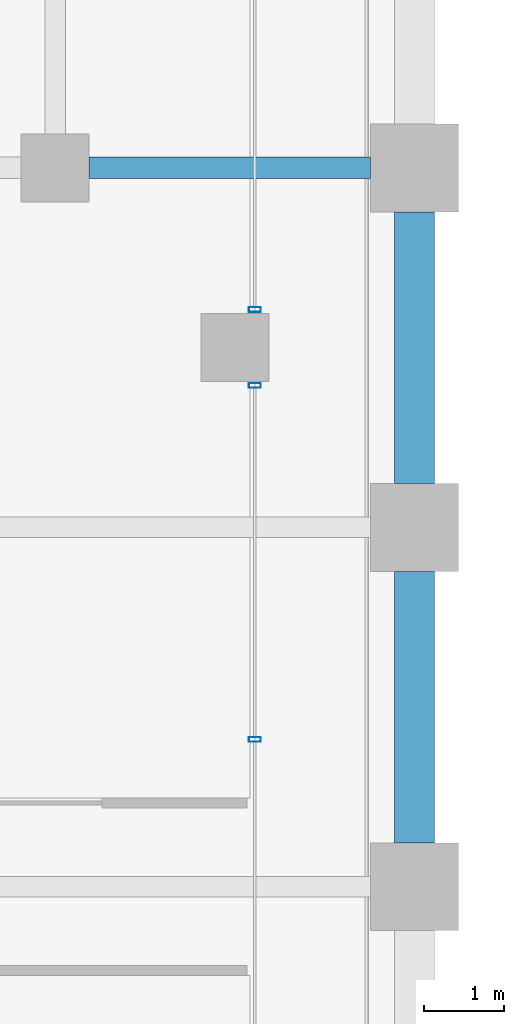
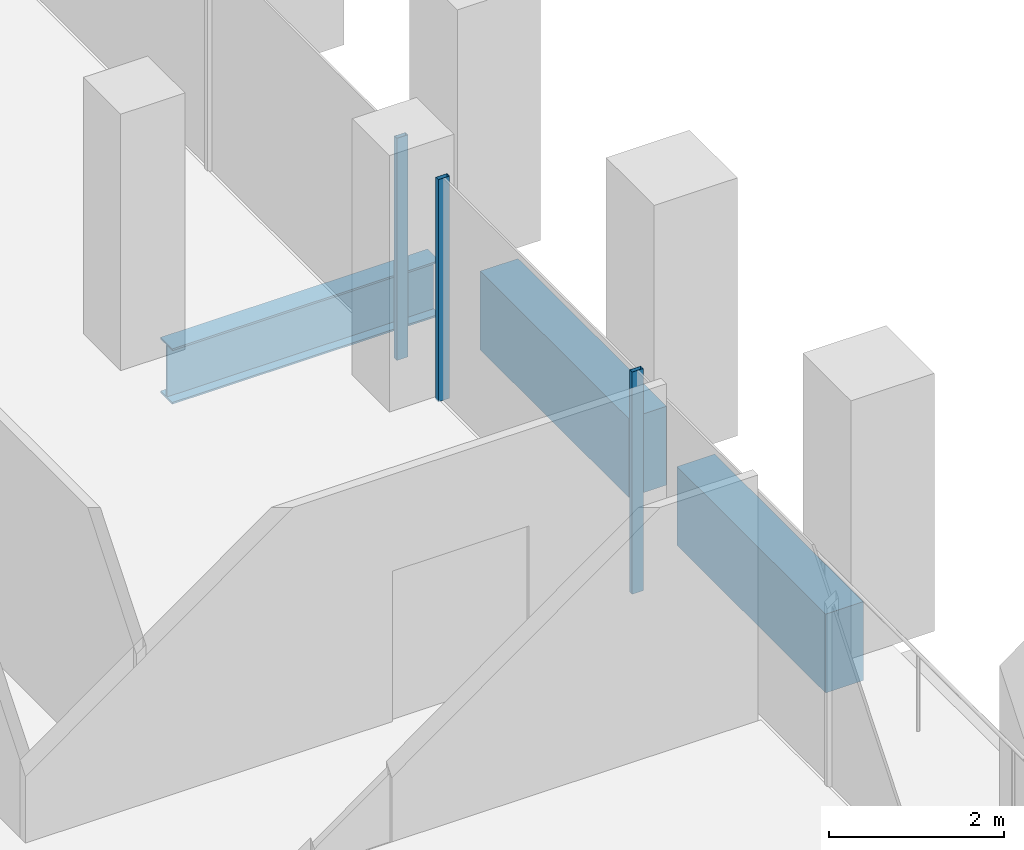
# One storey, part 22 of 54: 3 beams, 3 members, 2 elements without a shape of their own.
"""IFC4 building model written with IfcOpenShell, lengths in metres."""

from ifc_helpers import new_model, si_unit, direction, frame, origin, origin_2d, place, context, subcontext, project, spatial, rectangle, hollow_rectangle, i_section, extrude, material, material_profile, profile_set, type_object, element, aggregate, save


model = new_model("IFC4")

# Units and contexts
model_context = context("Model", 3, precision=1e-05, world=origin(), true_north=direction((0.0, 1.0)))
body_context = subcontext(model_context, "Body", "Model", "MODEL_VIEW")
ifc_project = project(units=[si_unit("LENGTHUNIT", "METRE"), si_unit("AREAUNIT", "SQUARE_METRE"), si_unit("VOLUMEUNIT", "CUBIC_METRE"), si_unit("PLANEANGLEUNIT", "RADIAN"), si_unit("MASSUNIT", "GRAM", prefix="KILO")], contexts=[model_context])

# Site, building, storey
site_placement = place(None, origin())
site = spatial("IfcSite", under=ifc_project, at=site_placement, CompositionType="ELEMENT")
building_placement = place(site_placement, origin())
building = spatial("IfcBuilding", under=site, at=building_placement, Name="Altepetl Exchange Towers", CompositionType="ELEMENT")
storey_placement = place(building_placement, frame((0.0, 0.0, 65.39990234375)))
storey = spatial("IfcBuildingStorey", under=building, at=storey_placement, Name="L15", CompositionType="ELEMENT", Elevation=65.39990234375)

# Beam
ifc_material_1 = material(Name="Steel S355", Category="steel")
ifc_material_profile_1 = material_profile(ifc_material_1, i_section(OverallWidth=0.26806640625, OverallDepth=0.77392578125, WebThickness=0.015380859375, FlangeThickness=0.025390625, at=origin_2d()), Name="W30X132")
ifc_profile_set_1 = profile_set([ifc_material_profile_1], Name="Steel S355")
beam_type_1 = type_object("IfcBeamType", Name="Girder W30X132", PredefinedType="BEAM", material=ifc_profile_set_1)
beam_placement = place(storey_placement, frame((67.925048828125, 58.5, -0.536865234375), z_axis=(1.0, 0.0, 0.0), x_axis=(0.0, 1.0, 0.0)))
element("IfcBeam", 1, at=beam_placement, inside=storey, type_object=beam_type_1, Name="gd:A:L15:002", PredefinedType="BEAM", context=body_context, shape_type="SweptSolid", body=[
    extrude(i_section(OverallWidth=0.26806640625, OverallDepth=0.77392578125, WebThickness=0.015380859375, FlangeThickness=0.025390625, at=origin_2d()), origin(), (0.0, 0.0, 1.0), 3.52490234375),
])

# Curtain wall, members
ifc_material_2 = material(Name="Aluminium 6063-T6 glazing", Category="aluminium")
curtain_wall_type = type_object("IfcCurtainWallType", Name="Loggia glazing system", PredefinedType="NOTDEFINED", material=ifc_material_2)
curtain_wall_1_placement = place(storey_placement, origin())
curtain_wall_1 = element("IfcCurtainWall", 2, at=curtain_wall_1_placement, inside=storey, type_object=curtain_wall_type, Name="CW1 run", PredefinedType="NOTDEFINED")
ifc_material_3 = material(Name="Aluminium 6063-T6", Category="aluminium")
ifc_material_profile_2 = material_profile(ifc_material_3, hollow_rectangle(XDim=0.06005859375, YDim=0.14990234375, WallThickness=0.0029296875, at=origin_2d()), Name="Mullion 60x150 aluminium")
ifc_profile_set_2 = profile_set([ifc_material_profile_2], Name="Aluminium 6063-T6")
member_type = type_object("IfcMemberType", Name="Mullion 60x150 aluminium", PredefinedType="MULLION", material=ifc_profile_set_2)
member_1_placement = place(storey_placement, frame((70.0, 51.343994140625, 0.0), z_axis=(0.0, 0.0, 1.0), x_axis=(0.0, 1.0, 0.0)))
member_1 = element("IfcMember", 3, at=member_1_placement, type_object=member_type, Name="MU1 mullion", PredefinedType="MULLION", context=body_context, shape_type="SweptSolid", body=[
    extrude(hollow_rectangle(XDim=0.06005859375, YDim=0.14990234375, WallThickness=0.0029296875, at=origin_2d()), origin(), (0.0, 0.0, 1.0), 3.10009765625),
])
member_2_placement = place(storey_placement, frame((70.0, 55.77490234375, 0.0), z_axis=(0.0, 0.0, 1.0), x_axis=(0.0, 1.0, 0.0)))
member_2 = element("IfcMember", 4, at=member_2_placement, type_object=member_type, Name="MU1 mullion", PredefinedType="MULLION", context=body_context, shape_type="SweptSolid", body=[
    extrude(hollow_rectangle(XDim=0.06005859375, YDim=0.14990234375, WallThickness=0.0029296875, at=origin_2d()), origin(), (0.0, 0.0, 1.0), 3.10009765625),
])
aggregate(curtain_wall_1, [member_1, member_2])

# Curtain wall, member
curtain_wall_2_placement = place(storey_placement, origin())
curtain_wall_2 = element("IfcCurtainWall", 5, at=curtain_wall_2_placement, inside=storey, type_object=curtain_wall_type, Name="CW1 run", PredefinedType="NOTDEFINED")
member_3_placement = place(storey_placement, frame((70.0, 56.72509765625, 0.0), z_axis=(0.0, 0.0, 1.0), x_axis=(0.0, 1.0, 0.0)))
member_3 = element("IfcMember", 6, at=member_3_placement, type_object=member_type, Name="MU1 mullion", PredefinedType="MULLION", context=body_context, shape_type="SweptSolid", body=[
    extrude(hollow_rectangle(XDim=0.06005859375, YDim=0.14990234375, WallThickness=0.0029296875, at=origin_2d()), origin(), (0.0, 0.0, 1.0), 3.10009765625),
])
aggregate(curtain_wall_2, [member_3])

# Beams
ifc_material_4 = material(Name="Concrete C50/60 precast with cantera amarilla facing", Category="concrete")
ifc_material_profile_3 = material_profile(ifc_material_4, rectangle(XDim=0.5, YDim=1.10009765625, at=origin_2d()), Name="500 x 1100")
ifc_profile_set_3 = profile_set([ifc_material_profile_3], Name="Concrete C50/60 precast with cantera amarilla facing")
beam_type_2 = type_object("IfcBeamType", Name="Spandrel beam 500x1100 cantera amarilla", PredefinedType="SPANDREL", material=ifc_profile_set_3)
for number, where, z_axis, x_axis, name in (
    (7, (72.0, 50.050048828125, -0.699951171875), (0.0, 1.0, 0.0), (-1.0, 0.0, 0.0), "sp:A:L15:016"),
    (8, (72.0, 54.550048828125, -0.699951171875), (0.0, 1.0, 0.0), (-1.0, 0.0, 0.0), "sp:A:L15:017"),
):
    element("IfcBeam", number, at=place(storey_placement, frame(where, z_axis=z_axis, x_axis=x_axis)), inside=storey, type_object=beam_type_2, Name=name, PredefinedType="SPANDREL", context=body_context, shape_type="SweptSolid", body=[
        extrude(rectangle(XDim=0.5, YDim=1.10009765625, at=origin_2d()), origin(), (0.0, 0.0, 1.0), 3.39990234375),
    ])

save(model, "model.ifc")
